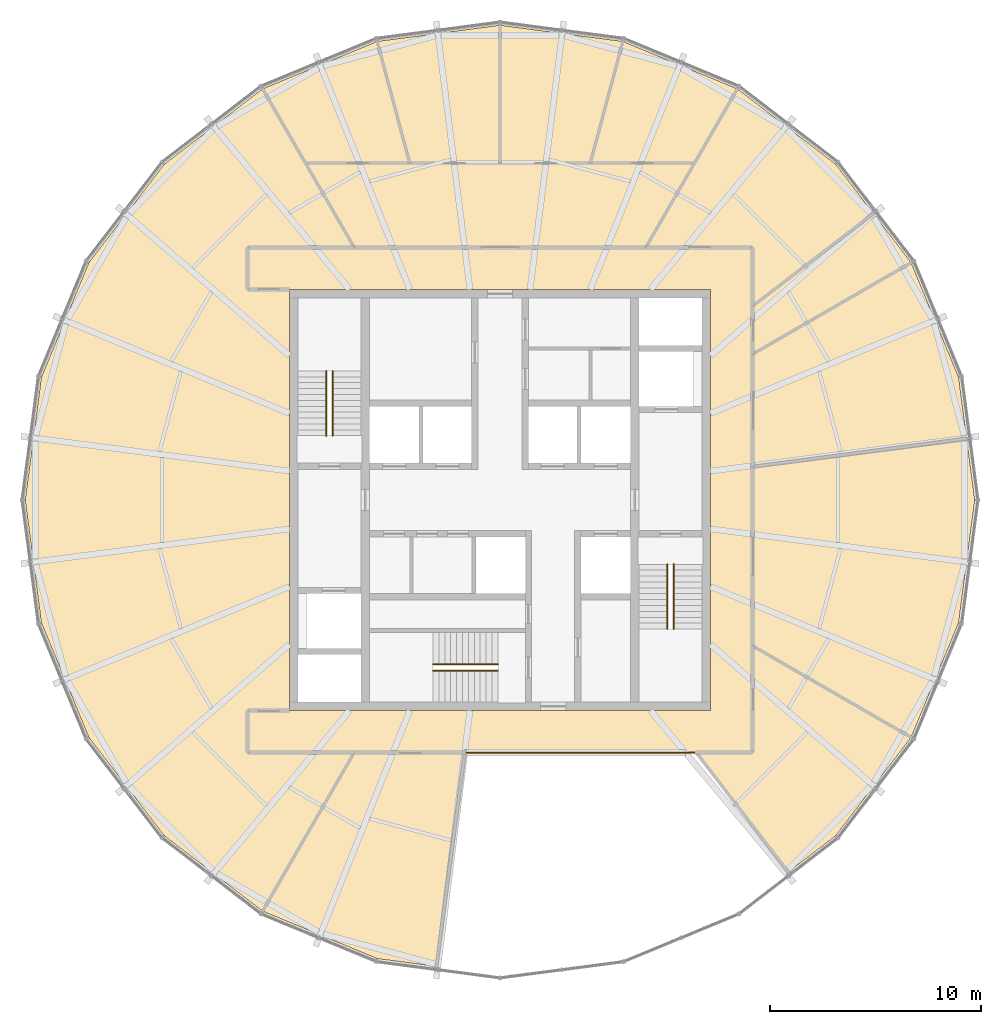
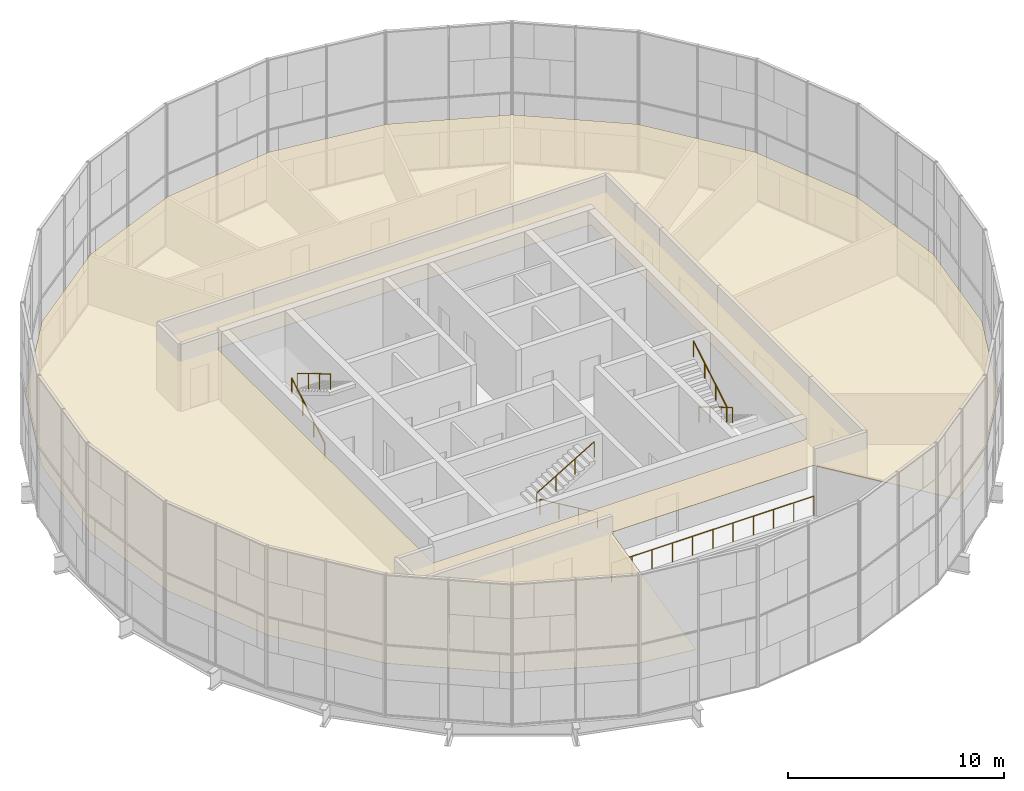
# One storey, part 19 of 19: 7 railings, 1 covering.
"""IFC4 building model written with IfcOpenShell, lengths in metres."""

from ifc_helpers import new_model, si_unit, direction, frame, origin, origin_2d, place, context, subcontext, project, spatial, polyline, circle, outline, extrude, material, layer, layer_set, type_object, element, save


model = new_model("IFC4")

# Units and contexts
model_context = context("Model", 3, precision=1e-05, world=origin(), true_north=direction((0.0, 1.0)))
body_context = subcontext(model_context, "Body", "Model", "MODEL_VIEW")
ifc_project = project(units=[si_unit("LENGTHUNIT", "METRE"), si_unit("AREAUNIT", "SQUARE_METRE"), si_unit("VOLUMEUNIT", "CUBIC_METRE"), si_unit("PLANEANGLEUNIT", "RADIAN"), si_unit("MASSUNIT", "GRAM", prefix="KILO")], contexts=[model_context])

# Site, building, storey
site_placement = place(None, origin())
site = spatial("IfcSite", under=ifc_project, at=site_placement, CompositionType="ELEMENT")
building_placement = place(site_placement, origin())
building = spatial("IfcBuilding", under=site, at=building_placement, Name="Golbaran Civic Tower", CompositionType="ELEMENT")
storey_placement = place(building_placement, frame((0.0, 0.0, 240.0)))
storey = spatial("IfcBuildingStorey", under=building, at=storey_placement, Name="L58", CompositionType="ELEMENT", Elevation=240.0)

# Railings
ifc_material_1 = material(Name="Laminated glass, steel shoe", Category="steel")
railing_type_1 = type_object("IfcRailingType", Name="GLASS BALUSTRADE 1100", PredefinedType="GUARDRAIL", material=ifc_material_1)
railing_1_placement = place(storey_placement, frame((-1.594482421875, -12.0, 0.0)))
element("IfcRailing", 1, at=railing_1_placement, inside=storey, type_object=railing_type_1, Name="Sky garden void guard L58", PredefinedType="GUARDRAIL", context=body_context, shape_type="SweptSolid", body=[
    extrude(circle(Radius=0.02392578125, at=origin_2d()), frame((0.0, 0.0, 1.076171875), z_axis=(1.0, 0.0, 0.0), x_axis=(0.0, 1.0, 0.0)), (0.0, 0.0, 1.0), 10.825439453125),
    extrude(circle(Radius=0.02099609375, at=origin_2d()), origin(), (0.0, 0.0, 1.0), 1.052001953125),
    extrude(circle(Radius=0.02099609375, at=origin_2d()), frame((1.08251953125, 0.0, 0.0)), (0.0, 0.0, 1.0), 1.052001953125),
    extrude(circle(Radius=0.02099609375, at=origin_2d()), frame((2.1650390625, 0.0, 0.0)), (0.0, 0.0, 1.0), 1.052001953125),
    extrude(circle(Radius=0.02099609375, at=origin_2d()), frame((3.24755859375, 0.0, 0.0)), (0.0, 0.0, 1.0), 1.052001953125),
    extrude(circle(Radius=0.02099609375, at=origin_2d()), frame((4.330078125, 0.0, 0.0)), (0.0, 0.0, 1.0), 1.052001953125),
    extrude(circle(Radius=0.02099609375, at=origin_2d()), frame((5.41259765625, 0.0, 0.0)), (0.0, 0.0, 1.0), 1.052001953125),
    extrude(circle(Radius=0.02099609375, at=origin_2d()), frame((6.495361328125, 0.0, 0.0)), (0.0, 0.0, 1.0), 1.052001953125),
    extrude(circle(Radius=0.02099609375, at=origin_2d()), frame((7.577880859375, 0.0, 0.0)), (0.0, 0.0, 1.0), 1.052001953125),
    extrude(circle(Radius=0.02099609375, at=origin_2d()), frame((8.660400390625, 0.0, 0.0)), (0.0, 0.0, 1.0), 1.052001953125),
    extrude(circle(Radius=0.02099609375, at=origin_2d()), frame((9.742919921875, 0.0, 0.0)), (0.0, 0.0, 1.0), 1.052001953125),
    extrude(circle(Radius=0.02099609375, at=origin_2d()), frame((10.825439453125, 0.0, 0.0)), (0.0, 0.0, 1.0), 1.052001953125),
])
ifc_material_2 = material(Name="Stainless steel", Category="steel")
railing_type_2 = type_object("IfcRailingType", Name="STAIR HANDRAIL 900", PredefinedType="HANDRAIL", material=ifc_material_2)
railing_2_placement = place(storey_placement, frame((-8.25, 3.050048828125, 0.166748046875)))
element("IfcRailing", 2, at=railing_2_placement, inside=storey, type_object=railing_type_2, Name="Stair S1 handrail flight 1 L58", PredefinedType="HANDRAIL", context=body_context, shape_type="SweptSolid", body=[
    extrude(circle(Radius=0.02392578125, at=origin_2d()), frame((0.0, 0.0, 0.8759765625), z_axis=(0.0, 0.859290745958, 0.51148745235), x_axis=(-1.0, 0.0, 0.0)), (0.0, 0.0, 1.0), 3.584228515625),
    extrude(circle(Radius=0.02099609375, at=origin_2d()), origin(), (0.0, 0.0, 1.0), 0.851806640625),
    extrude(circle(Radius=0.02099609375, at=origin_2d()), frame((0.0, 1.026611328125, 0.611083984375)), (0.0, 0.0, 1.0), 0.851806640625),
    extrude(circle(Radius=0.02099609375, at=origin_2d()), frame((0.0, 2.05322265625, 1.22216796875)), (0.0, 0.0, 1.0), 0.851806640625),
    extrude(circle(Radius=0.02099609375, at=origin_2d()), frame((0.0, 3.079833984375, 1.833251953125)), (0.0, 0.0, 1.0), 0.851806640625),
])
for number, where, name in (
    (3, (-7.949951171875, 6.1298828125, 2.166748046875), "Stair S1 handrail flight 2 L58"),
    (4, (8.25, -3.050048828125, 0.166748046875), "Stair S2 handrail flight 1 L58"),
):
    element("IfcRailing", number, at=place(storey_placement, frame(where)), inside=storey, type_object=railing_type_2, Name=name, PredefinedType="HANDRAIL", context=body_context, shape_type="SweptSolid", body=[
        extrude(circle(Radius=0.02392578125, at=origin_2d()), frame((0.0, 0.0, 0.8759765625), z_axis=(0.0, -0.859290745958, 0.51148745235), x_axis=(1.0, 0.0, 0.0)), (0.0, 0.0, 1.0), 3.584228515625),
        extrude(circle(Radius=0.02099609375, at=origin_2d()), origin(), (0.0, 0.0, 1.0), 0.851806640625),
        extrude(circle(Radius=0.02099609375, at=origin_2d()), frame((0.0, -1.026611328125, 0.611083984375)), (0.0, 0.0, 1.0), 0.851806640625),
        extrude(circle(Radius=0.02099609375, at=origin_2d()), frame((0.0, -2.05322265625, 1.22216796875)), (0.0, 0.0, 1.0), 0.851806640625),
        extrude(circle(Radius=0.02099609375, at=origin_2d()), frame((0.0, -3.079833984375, 1.833251953125)), (0.0, 0.0, 1.0), 0.851806640625),
    ])
railing_3_placement = place(storey_placement, frame((7.949951171875, -6.1298828125, 2.166748046875)))
element("IfcRailing", 5, at=railing_3_placement, inside=storey, type_object=railing_type_2, Name="Stair S2 handrail flight 2 L58", PredefinedType="HANDRAIL", context=body_context, shape_type="SweptSolid", body=[
    extrude(circle(Radius=0.02392578125, at=origin_2d()), frame((0.0, 0.0, 0.8759765625), z_axis=(0.0, 0.859290745958, 0.51148745235), x_axis=(-1.0, 0.0, 0.0)), (0.0, 0.0, 1.0), 3.584228515625),
    extrude(circle(Radius=0.02099609375, at=origin_2d()), origin(), (0.0, 0.0, 1.0), 0.851806640625),
    extrude(circle(Radius=0.02099609375, at=origin_2d()), frame((0.0, 1.026611328125, 0.611083984375)), (0.0, 0.0, 1.0), 0.851806640625),
    extrude(circle(Radius=0.02099609375, at=origin_2d()), frame((0.0, 2.05322265625, 1.22216796875)), (0.0, 0.0, 1.0), 0.851806640625),
    extrude(circle(Radius=0.02099609375, at=origin_2d()), frame((0.0, 3.079833984375, 1.833251953125)), (0.0, 0.0, 1.0), 0.851806640625),
])
railing_4_placement = place(storey_placement, frame((-0.10009765625, -8.10009765625, 0.166748046875)))
element("IfcRailing", 6, at=railing_4_placement, inside=storey, type_object=railing_type_2, Name="Stair S3 handrail flight 1 L58", PredefinedType="HANDRAIL", context=body_context, shape_type="SweptSolid", body=[
    extrude(circle(Radius=0.02392578125, at=origin_2d()), frame((0.0, 0.0, 0.8759765625), z_axis=(-0.859290745958, 0.0, 0.51148745235), x_axis=(0.0, -1.0, 0.0)), (0.0, 0.0, 1.0), 3.584228515625),
    extrude(circle(Radius=0.02099609375, at=origin_2d()), origin(), (0.0, 0.0, 1.0), 0.851806640625),
    extrude(circle(Radius=0.02099609375, at=origin_2d()), frame((-1.026611328125, 0.0, 0.611083984375)), (0.0, 0.0, 1.0), 0.851806640625),
    extrude(circle(Radius=0.02099609375, at=origin_2d()), frame((-2.05322265625, 0.0, 1.22216796875)), (0.0, 0.0, 1.0), 0.851806640625),
    extrude(circle(Radius=0.02099609375, at=origin_2d()), frame((-3.079833984375, 0.0, 1.833251953125)), (0.0, 0.0, 1.0), 0.851806640625),
])
railing_5_placement = place(storey_placement, frame((-3.179931640625, -7.800048828125, 2.166748046875)))
element("IfcRailing", 7, at=railing_5_placement, inside=storey, type_object=railing_type_2, Name="Stair S3 handrail flight 2 L58", PredefinedType="HANDRAIL", context=body_context, shape_type="SweptSolid", body=[
    extrude(circle(Radius=0.02392578125, at=origin_2d()), frame((0.0, 0.0, 0.8759765625), z_axis=(0.859290745958, 0.0, 0.51148745235), x_axis=(0.0, 1.0, 0.0)), (0.0, 0.0, 1.0), 3.584228515625),
    extrude(circle(Radius=0.02099609375, at=origin_2d()), origin(), (0.0, 0.0, 1.0), 0.851806640625),
    extrude(circle(Radius=0.02099609375, at=origin_2d()), frame((1.026611328125, 0.0, 0.611083984375)), (0.0, 0.0, 1.0), 0.851806640625),
    extrude(circle(Radius=0.02099609375, at=origin_2d()), frame((2.05322265625, 0.0, 1.22216796875)), (0.0, 0.0, 1.0), 0.851806640625),
    extrude(circle(Radius=0.02099609375, at=origin_2d()), frame((3.079833984375, 0.0, 1.833251953125)), (0.0, 0.0, 1.0), 0.851806640625),
])

# Covering
ifc_material_3 = material(Name="Mineral fibre tile on steel grid", Category="steel")
ifc_layer = layer(ifc_material_3, 0.02001953125, Name="Mineral fibre tile on steel grid")
ifc_layer_set = layer_set([ifc_layer], Name="Mineral fibre tile on steel grid")
covering_type = type_object("IfcCoveringType", Name="SUSPENDED CEILING 600 TILE 20", PredefinedType="CEILING", material=ifc_layer_set)
covering_placement = place(storey_placement, frame((0.0, 0.0, 2.800048828125)))
element("IfcCovering", 8, at=covering_placement, inside=storey, type_object=covering_type, Name="Suspended ceiling L58", PredefinedType="CEILING", context=body_context, shape_type="SweptSolid", body=[
    extrude(outline(polyline([(-21.78173828125, 5.83642578125), (-19.52880859375, 11.27490234375), (-15.9453125, 15.9453125), (-11.27490234375, 19.52880859375), (-5.83642578125, 21.78173828125), (0.0, 22.550048828125), (5.83642578125, 21.78173828125), (11.27490234375, 19.52880859375), (15.9453125, 15.9453125), (19.52880859375, 11.27490234375), (21.78173828125, 5.83642578125), (22.550048828125, 0.0), (21.78173828125, -5.83642578125), (19.52880859375, -11.27490234375), (15.9453125, -15.9453125), (13.63134765625, -17.720703125), (9.23095703125, -12.0), (-1.594482421875, -12.0), (-2.94482421875, -22.162353515625), (-5.83642578125, -21.78173828125), (-11.27490234375, -19.52880859375), (-15.9453125, -15.9453125), (-19.52880859375, -11.27490234375), (-21.78173828125, -5.83642578125), (-22.550048828125, 0.0), (-21.78173828125, 5.83642578125)]), holes=[polyline([(-10.0, 10.0), (-10.0, -10.0), (10.0, -10.0), (10.0, 10.0), (-10.0, 10.0)])]), origin(), (0.0, 0.0, 1.0), 0.02001953125),
])

save(model, "model.ifc")
